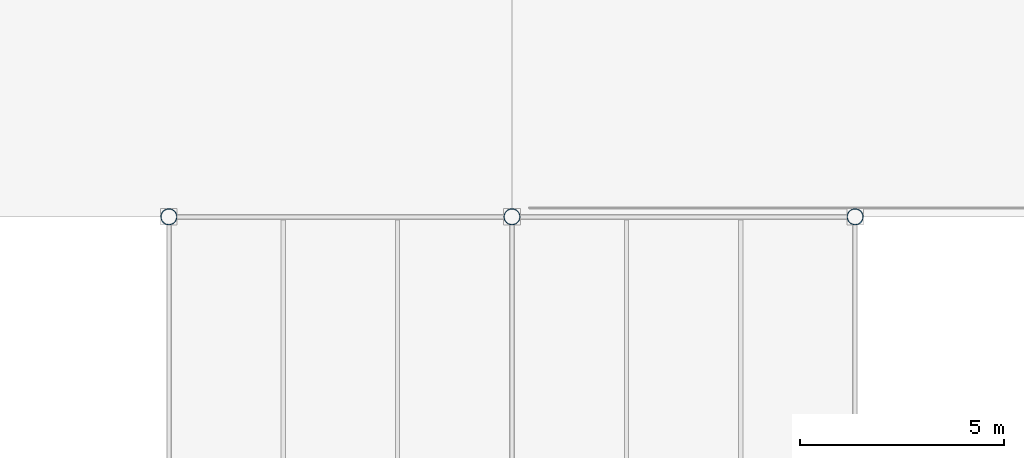
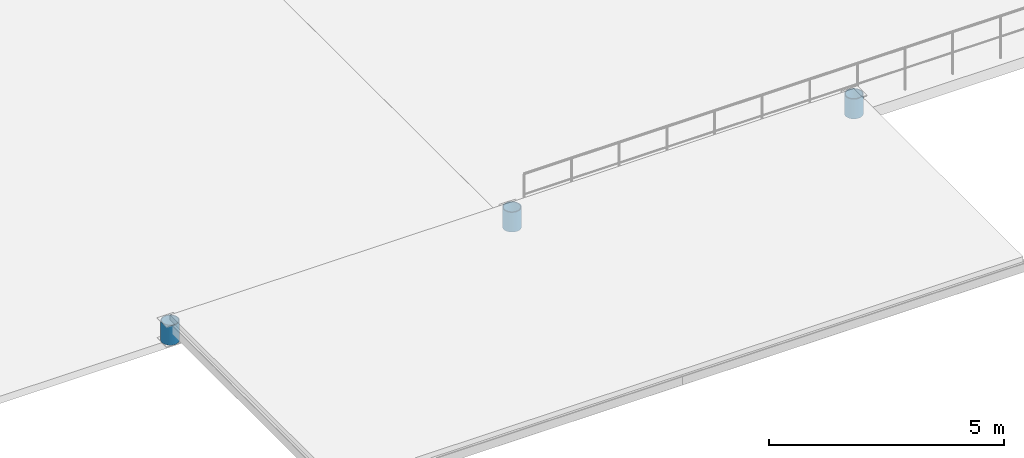
# One storey, part 19 of 73: 3 columns.
"""IFC4 building model written with IfcOpenShell, lengths in metres."""

from ifc_helpers import new_model, si_unit, derived_unit, direction, frame, origin, origin_2d, place, context, subcontext, project, spatial, hollow_circle, extrude, material, material_profile, profile_set, type_object, element, save


model = new_model("IFC4")

# Units and contexts
model_context = context("Model", 3, precision=1e-05, world=origin(), true_north=direction((0.0, 1.0)))
body_context = subcontext(model_context, "Body", "Model", "MODEL_VIEW")
ifc_project = project(units=[si_unit("LENGTHUNIT", "METRE"), si_unit("AREAUNIT", "SQUARE_METRE"), si_unit("VOLUMEUNIT", "CUBIC_METRE"), si_unit("PLANEANGLEUNIT", "RADIAN"), si_unit("MASSUNIT", "GRAM", prefix="KILO"), derived_unit("THERMALTRANSMITTANCEUNIT", [(si_unit("MASSUNIT", "GRAM", prefix="KILO"), 1), (si_unit("TIMEUNIT", "SECOND"), -3), (si_unit("THERMODYNAMICTEMPERATUREUNIT", "KELVIN"), -1)])], contexts=[model_context])

# Site, building, storey
site_placement = place(None, origin())
site = spatial("IfcSite", under=ifc_project, at=site_placement, CompositionType="ELEMENT")
building_placement = place(site_placement, origin())
building = spatial("IfcBuilding", under=site, at=building_placement, Name="Kharveza Railside Sports Centre", CompositionType="ELEMENT")
storey_placement = place(building_placement, frame((0.0, 0.0, 8.699951171875)))
storey = spatial("IfcBuildingStorey", under=building, at=storey_placement, Name="L02", CompositionType="ELEMENT", Elevation=8.699951171875)

# Columns
ifc_material = material(Name="Steel S355J2", Category="steel")
ifc_material_profile = material_profile(ifc_material, hollow_circle(Radius=0.203125, WallThickness=0.02001953125, at=origin_2d()), Name="CHS 406.4x20.0")
ifc_profile_set = profile_set([ifc_material_profile], Name="Steel S355J2")
column_type = type_object("IfcColumnType", Name="COL-T02", PredefinedType="COLUMN", material=ifc_profile_set)
for number, where, z_axis, x_axis, name in (
    (1, (84.0, 7.199951171875, 0.0), (0.0, 0.0, 1.0), (1.0, 0.0, 0.0), "COL-CANOPY-TOP-84"),
    (2, (92.39990234375, 7.199951171875, 0.0), (0.0, 0.0, 1.0), (1.0, 0.0, 0.0), "COL-CANOPY-TOP-92"),
    (3, (100.800048828125, 7.199951171875, 0.0), (0.0, 0.0, 1.0), (1.0, 0.0, 0.0), "COL-CANOPY-TOP-100"),
):
    element("IfcColumn", number, at=place(storey_placement, frame(where, z_axis=z_axis, x_axis=x_axis)), inside=storey, type_object=column_type, Name=name, PredefinedType="COLUMN", context=body_context, shape_type="SweptSolid", body=[
        extrude(hollow_circle(Radius=0.203125, WallThickness=0.02001953125, at=origin_2d()), origin(), (0.0, 0.0, 1.0), 0.51513671875),
    ])

save(model, "model.ifc")
